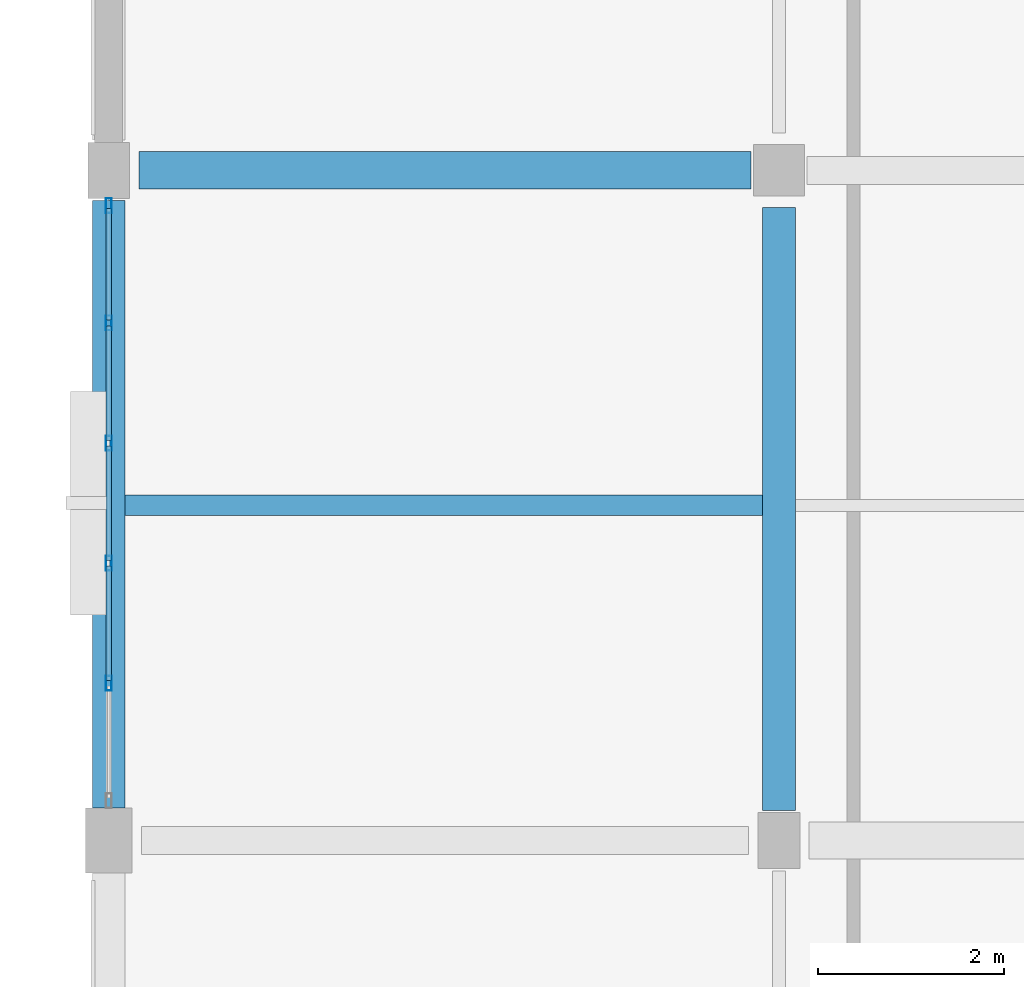
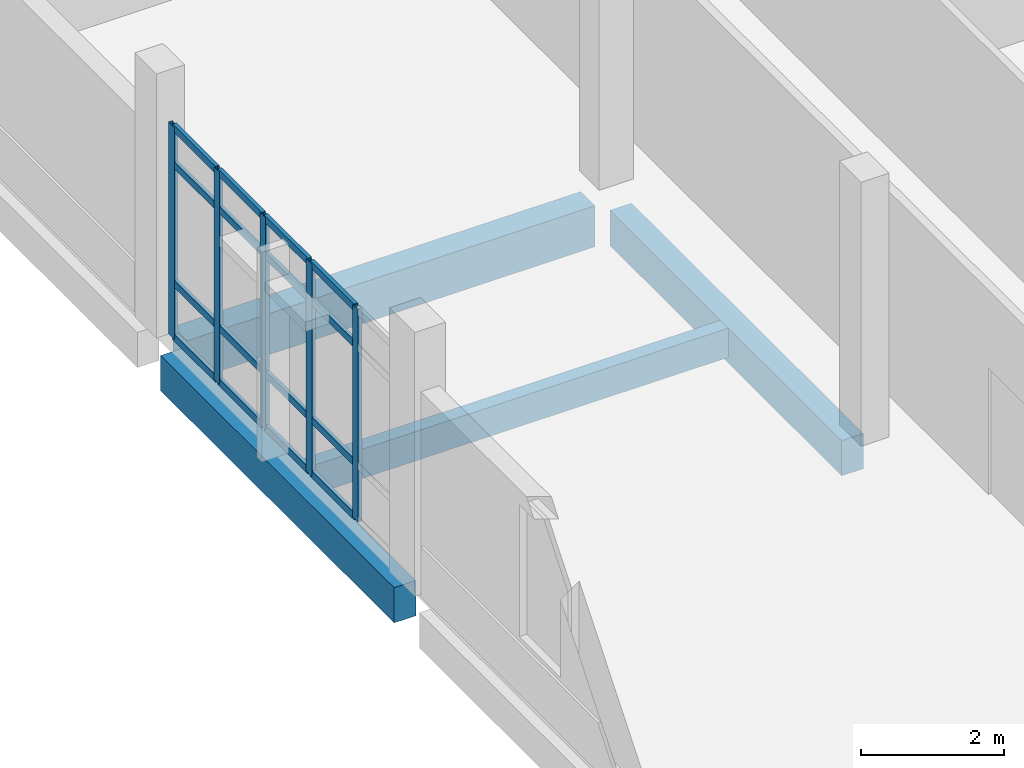
# One storey, part 10 of 87: 21 members, 4 beams, 1 element without a shape of its own.
"""IFC4 building model written with IfcOpenShell, lengths in metres."""

from ifc_helpers import new_model, si_unit, direction, frame, origin, origin_2d, place, context, subcontext, project, spatial, rectangle, hollow_rectangle, extrude, material, material_profile, profile_set, type_object, element, aggregate, save


model = new_model("IFC4")

# Units and contexts
model_context = context("Model", 3, precision=1e-05, world=origin(), true_north=direction((0.0, 1.0)))
body_context = subcontext(model_context, "Body", "Model", "MODEL_VIEW")
ifc_project = project(units=[si_unit("LENGTHUNIT", "METRE"), si_unit("AREAUNIT", "SQUARE_METRE"), si_unit("VOLUMEUNIT", "CUBIC_METRE"), si_unit("PLANEANGLEUNIT", "RADIAN"), si_unit("MASSUNIT", "GRAM", prefix="KILO")], contexts=[model_context])

# Site, building, storey
site_placement = place(None, origin())
site = spatial("IfcSite", under=ifc_project, at=site_placement, CompositionType="ELEMENT")
building_placement = place(site_placement, origin())
building = spatial("IfcBuilding", under=site, at=building_placement, Name="Kalluvel Institute of Natural Sciences", CompositionType="ELEMENT")
storey_placement = place(building_placement, frame((0.0, 0.0, 18.89990234375)))
storey = spatial("IfcBuildingStorey", under=building, at=storey_placement, Name="L04", CompositionType="ELEMENT", Elevation=18.89990234375)

# Beam
ifc_material_1 = material(Name="Concrete M40", Category="concrete")
ifc_material_profile_1 = material_profile(ifc_material_1, rectangle(XDim=0.35009765625, YDim=0.60009765625, at=origin_2d()), Name="RCB 350x600")
ifc_profile_set_1 = profile_set([ifc_material_profile_1], Name="Concrete M40")
beam_type_1 = type_object("IfcBeamType", Name="BM-RC350x600", PredefinedType="BEAM", material=ifc_profile_set_1)
beam_1_placement = place(storey_placement, frame((21.199951171875, 28.72509765625, -0.599853515625), z_axis=(0.0, 1.0, 0.0), x_axis=(-1.0, 0.0, 0.0)))
element("IfcBeam", 1, at=beam_1_placement, inside=storey, type_object=beam_type_1, Name="L04 girder GIR-L04-NS-X212-Y284", PredefinedType="BEAM", context=body_context, shape_type="SweptSolid", body=[
    extrude(rectangle(XDim=0.35009765625, YDim=0.60009765625, at=origin_2d()), origin(), (0.0, 0.0, 1.0), 6.474853515625),
])

# Curtain wall, members
ifc_material_2 = material(Name="Aluminium AW-6063 T6", Category="aluminium")
curtain_wall_type = type_object("IfcCurtainWallType", Name="CW-DRY-45", PredefinedType="USERDEFINED", material=ifc_material_2)
curtain_wall_placement = place(storey_placement, origin())
curtain_wall = element("IfcCurtainWall", 2, at=curtain_wall_placement, inside=storey, type_object=curtain_wall_type, Name="L04 Gothic lancet curtain wall CWA-L04-X140-Y288", ObjectType="UNITISED LANCET FACADE", PredefinedType="USERDEFINED")
ifc_material_profile_2 = material_profile(ifc_material_2, hollow_rectangle(XDim=0.06005859375, YDim=0.159912109375, WallThickness=0.00390625, at=origin_2d()), Name="CWM 60x160")
ifc_profile_set_2 = profile_set([ifc_material_profile_2], Name="Aluminium AW-6063 T6")
member_type_1 = type_object("IfcMemberType", Name="CWM-60x160", PredefinedType="MULLION", material=ifc_profile_set_2)
member_1_placement = place(storey_placement, frame((14.0, 30.090087890625, 0.0), z_axis=(0.0, 0.0, 1.0), x_axis=(-1.0, 0.0, 0.0)))
member_1 = element("IfcMember", 3, at=member_1_placement, type_object=member_type_1, Name="CW-03 mullion 2", PredefinedType="MULLION", context=body_context, shape_type="SweptSolid", body=[
    extrude(hollow_rectangle(XDim=0.06005859375, YDim=0.159912109375, WallThickness=0.00390625, at=origin_2d()), origin(), (0.0, 0.0, 1.0), 3.6201171875),
])
member_2_placement = place(storey_placement, frame((14.0, 31.3798828125, 0.0), z_axis=(0.0, 0.0, 1.0), x_axis=(-1.0, 0.0, 0.0)))
member_2 = element("IfcMember", 4, at=member_2_placement, type_object=member_type_1, Name="CW-03 mullion 3", PredefinedType="MULLION", context=body_context, shape_type="SweptSolid", body=[
    extrude(hollow_rectangle(XDim=0.06005859375, YDim=0.159912109375, WallThickness=0.00390625, at=origin_2d()), origin(), (0.0, 0.0, 1.0), 3.6201171875),
])
member_3_placement = place(storey_placement, frame((14.0, 32.669921875, 0.0), z_axis=(0.0, 0.0, 1.0), x_axis=(-1.0, 0.0, 0.0)))
member_3 = element("IfcMember", 5, at=member_3_placement, type_object=member_type_1, Name="CW-03 mullion 4", PredefinedType="MULLION", context=body_context, shape_type="SweptSolid", body=[
    extrude(hollow_rectangle(XDim=0.06005859375, YDim=0.159912109375, WallThickness=0.00390625, at=origin_2d()), origin(), (0.0, 0.0, 1.0), 3.6201171875),
])
member_4_placement = place(storey_placement, frame((14.0, 33.9599609375, 0.0), z_axis=(0.0, 0.0, 1.0), x_axis=(-1.0, 0.0, 0.0)))
member_4 = element("IfcMember", 6, at=member_4_placement, type_object=member_type_1, Name="CW-03 mullion 5", PredefinedType="MULLION", context=body_context, shape_type="SweptSolid", body=[
    extrude(hollow_rectangle(XDim=0.06005859375, YDim=0.159912109375, WallThickness=0.00390625, at=origin_2d()), origin(), (0.0, 0.0, 1.0), 3.6201171875),
])
member_5_placement = place(storey_placement, frame((14.0, 35.219970703125, 0.0), z_axis=(0.0, 0.0, 1.0), x_axis=(-1.0, 0.0, 0.0)))
member_5 = element("IfcMember", 7, at=member_5_placement, type_object=member_type_1, Name="CW-03 mullion 6", PredefinedType="MULLION", context=body_context, shape_type="SweptSolid", body=[
    extrude(hollow_rectangle(XDim=0.06005859375, YDim=0.159912109375, WallThickness=0.00390625, at=origin_2d()), origin(), (0.0, 0.0, 1.0), 3.6201171875),
])
ifc_material_profile_3 = material_profile(ifc_material_2, hollow_rectangle(XDim=0.06005859375, YDim=0.1201171875, WallThickness=0.00390625, at=origin_2d()), Name="CWT 60x120")
ifc_profile_set_3 = profile_set([ifc_material_profile_3], Name="Aluminium AW-6063 T6")
member_type_2 = type_object("IfcMemberType", Name="CWT-60x120", PredefinedType="USERDEFINED", material=ifc_profile_set_3)
member_6_placement = place(storey_placement, frame((14.0, 30.1201171875, 0.030029296875), z_axis=(0.0, 1.0, 0.0), x_axis=(-1.0, 0.0, 0.0)))
member_6 = element("IfcMember", 8, at=member_6_placement, type_object=member_type_2, Name="CW-03 transom 2.1", ObjectType="TRANSOM", PredefinedType="USERDEFINED", context=body_context, shape_type="SweptSolid", body=[
    extrude(hollow_rectangle(XDim=0.06005859375, YDim=0.1201171875, WallThickness=0.00390625, at=origin_2d()), origin(), (0.0, 0.0, 1.0), 1.22998046875),
])
member_7_placement = place(storey_placement, frame((14.0, 30.1201171875, 0.9501953125), z_axis=(0.0, 1.0, 0.0), x_axis=(-1.0, 0.0, 0.0)))
member_7 = element("IfcMember", 9, at=member_7_placement, type_object=member_type_2, Name="CW-03 transom 2.2", ObjectType="TRANSOM", PredefinedType="USERDEFINED", context=body_context, shape_type="SweptSolid", body=[
    extrude(hollow_rectangle(XDim=0.06005859375, YDim=0.1201171875, WallThickness=0.00390625, at=origin_2d()), origin(), (0.0, 0.0, 1.0), 1.22998046875),
])
member_8_placement = place(storey_placement, frame((14.0, 30.1201171875, 2.97021484375), z_axis=(0.0, 1.0, 0.0), x_axis=(-1.0, 0.0, 0.0)))
member_8 = element("IfcMember", 10, at=member_8_placement, type_object=member_type_2, Name="CW-03 transom 2.3", ObjectType="TRANSOM", PredefinedType="USERDEFINED", context=body_context, shape_type="SweptSolid", body=[
    extrude(hollow_rectangle(XDim=0.06005859375, YDim=0.1201171875, WallThickness=0.00390625, at=origin_2d()), origin(), (0.0, 0.0, 1.0), 1.22998046875),
])
member_9_placement = place(storey_placement, frame((14.0, 30.1201171875, 3.590087890625), z_axis=(0.0, 1.0, 0.0), x_axis=(-1.0, 0.0, 0.0)))
member_9 = element("IfcMember", 11, at=member_9_placement, type_object=member_type_2, Name="CW-03 transom 2.4", ObjectType="TRANSOM", PredefinedType="USERDEFINED", context=body_context, shape_type="SweptSolid", body=[
    extrude(hollow_rectangle(XDim=0.06005859375, YDim=0.1201171875, WallThickness=0.00390625, at=origin_2d()), origin(), (0.0, 0.0, 1.0), 1.22998046875),
])
member_10_placement = place(storey_placement, frame((14.0, 31.409912109375, 0.030029296875), z_axis=(0.0, 1.0, 0.0), x_axis=(-1.0, 0.0, 0.0)))
member_10 = element("IfcMember", 12, at=member_10_placement, type_object=member_type_2, Name="CW-03 transom 3.1", ObjectType="TRANSOM", PredefinedType="USERDEFINED", context=body_context, shape_type="SweptSolid", body=[
    extrude(hollow_rectangle(XDim=0.06005859375, YDim=0.1201171875, WallThickness=0.00390625, at=origin_2d()), origin(), (0.0, 0.0, 1.0), 1.22998046875),
])
member_11_placement = place(storey_placement, frame((14.0, 31.409912109375, 0.9501953125), z_axis=(0.0, 1.0, 0.0), x_axis=(-1.0, 0.0, 0.0)))
member_11 = element("IfcMember", 13, at=member_11_placement, type_object=member_type_2, Name="CW-03 transom 3.2", ObjectType="TRANSOM", PredefinedType="USERDEFINED", context=body_context, shape_type="SweptSolid", body=[
    extrude(hollow_rectangle(XDim=0.06005859375, YDim=0.1201171875, WallThickness=0.00390625, at=origin_2d()), origin(), (0.0, 0.0, 1.0), 1.22998046875),
])
member_12_placement = place(storey_placement, frame((14.0, 31.409912109375, 2.97021484375), z_axis=(0.0, 1.0, 0.0), x_axis=(-1.0, 0.0, 0.0)))
member_12 = element("IfcMember", 14, at=member_12_placement, type_object=member_type_2, Name="CW-03 transom 3.3", ObjectType="TRANSOM", PredefinedType="USERDEFINED", context=body_context, shape_type="SweptSolid", body=[
    extrude(hollow_rectangle(XDim=0.06005859375, YDim=0.1201171875, WallThickness=0.00390625, at=origin_2d()), origin(), (0.0, 0.0, 1.0), 1.22998046875),
])
member_13_placement = place(storey_placement, frame((14.0, 31.409912109375, 3.590087890625), z_axis=(0.0, 1.0, 0.0), x_axis=(-1.0, 0.0, 0.0)))
member_13 = element("IfcMember", 15, at=member_13_placement, type_object=member_type_2, Name="CW-03 transom 3.4", ObjectType="TRANSOM", PredefinedType="USERDEFINED", context=body_context, shape_type="SweptSolid", body=[
    extrude(hollow_rectangle(XDim=0.06005859375, YDim=0.1201171875, WallThickness=0.00390625, at=origin_2d()), origin(), (0.0, 0.0, 1.0), 1.22998046875),
])
member_14_placement = place(storey_placement, frame((14.0, 32.699951171875, 0.030029296875), z_axis=(0.0, 1.0, 0.0), x_axis=(-1.0, 0.0, 0.0)))
member_14 = element("IfcMember", 16, at=member_14_placement, type_object=member_type_2, Name="CW-03 transom 4.1", ObjectType="TRANSOM", PredefinedType="USERDEFINED", context=body_context, shape_type="SweptSolid", body=[
    extrude(hollow_rectangle(XDim=0.06005859375, YDim=0.1201171875, WallThickness=0.00390625, at=origin_2d()), origin(), (0.0, 0.0, 1.0), 1.22998046875),
])
member_15_placement = place(storey_placement, frame((14.0, 32.699951171875, 0.9501953125), z_axis=(0.0, 1.0, 0.0), x_axis=(-1.0, 0.0, 0.0)))
member_15 = element("IfcMember", 17, at=member_15_placement, type_object=member_type_2, Name="CW-03 transom 4.2", ObjectType="TRANSOM", PredefinedType="USERDEFINED", context=body_context, shape_type="SweptSolid", body=[
    extrude(hollow_rectangle(XDim=0.06005859375, YDim=0.1201171875, WallThickness=0.00390625, at=origin_2d()), origin(), (0.0, 0.0, 1.0), 1.22998046875),
])
member_16_placement = place(storey_placement, frame((14.0, 32.699951171875, 2.97021484375), z_axis=(0.0, 1.0, 0.0), x_axis=(-1.0, 0.0, 0.0)))
member_16 = element("IfcMember", 18, at=member_16_placement, type_object=member_type_2, Name="CW-03 transom 4.3", ObjectType="TRANSOM", PredefinedType="USERDEFINED", context=body_context, shape_type="SweptSolid", body=[
    extrude(hollow_rectangle(XDim=0.06005859375, YDim=0.1201171875, WallThickness=0.00390625, at=origin_2d()), origin(), (0.0, 0.0, 1.0), 1.22998046875),
])
member_17_placement = place(storey_placement, frame((14.0, 32.699951171875, 3.590087890625), z_axis=(0.0, 1.0, 0.0), x_axis=(-1.0, 0.0, 0.0)))
member_17 = element("IfcMember", 19, at=member_17_placement, type_object=member_type_2, Name="CW-03 transom 4.4", ObjectType="TRANSOM", PredefinedType="USERDEFINED", context=body_context, shape_type="SweptSolid", body=[
    extrude(hollow_rectangle(XDim=0.06005859375, YDim=0.1201171875, WallThickness=0.00390625, at=origin_2d()), origin(), (0.0, 0.0, 1.0), 1.22998046875),
])
member_18_placement = place(storey_placement, frame((14.0, 33.989990234375, 0.030029296875), z_axis=(0.0, 1.0, 0.0), x_axis=(-1.0, 0.0, 0.0)))
member_18 = element("IfcMember", 20, at=member_18_placement, type_object=member_type_2, Name="CW-03 transom 5.1", ObjectType="TRANSOM", PredefinedType="USERDEFINED", context=body_context, shape_type="SweptSolid", body=[
    extrude(hollow_rectangle(XDim=0.06005859375, YDim=0.1201171875, WallThickness=0.00390625, at=origin_2d()), origin(), (0.0, 0.0, 1.0), 1.199951171875),
])
member_19_placement = place(storey_placement, frame((14.0, 33.989990234375, 0.9501953125), z_axis=(0.0, 1.0, 0.0), x_axis=(-1.0, 0.0, 0.0)))
member_19 = element("IfcMember", 21, at=member_19_placement, type_object=member_type_2, Name="CW-03 transom 5.2", ObjectType="TRANSOM", PredefinedType="USERDEFINED", context=body_context, shape_type="SweptSolid", body=[
    extrude(hollow_rectangle(XDim=0.06005859375, YDim=0.1201171875, WallThickness=0.00390625, at=origin_2d()), origin(), (0.0, 0.0, 1.0), 1.199951171875),
])
member_20_placement = place(storey_placement, frame((14.0, 33.989990234375, 2.97021484375), z_axis=(0.0, 1.0, 0.0), x_axis=(-1.0, 0.0, 0.0)))
member_20 = element("IfcMember", 22, at=member_20_placement, type_object=member_type_2, Name="CW-03 transom 5.3", ObjectType="TRANSOM", PredefinedType="USERDEFINED", context=body_context, shape_type="SweptSolid", body=[
    extrude(hollow_rectangle(XDim=0.06005859375, YDim=0.1201171875, WallThickness=0.00390625, at=origin_2d()), origin(), (0.0, 0.0, 1.0), 1.199951171875),
])
member_21_placement = place(storey_placement, frame((14.0, 33.989990234375, 3.590087890625), z_axis=(0.0, 1.0, 0.0), x_axis=(-1.0, 0.0, 0.0)))
member_21 = element("IfcMember", 23, at=member_21_placement, type_object=member_type_2, Name="CW-03 transom 5.4", ObjectType="TRANSOM", PredefinedType="USERDEFINED", context=body_context, shape_type="SweptSolid", body=[
    extrude(hollow_rectangle(XDim=0.06005859375, YDim=0.1201171875, WallThickness=0.00390625, at=origin_2d()), origin(), (0.0, 0.0, 1.0), 1.199951171875),
])
aggregate(curtain_wall, [member_1, member_2, member_3, member_4, member_5, member_6, member_7, member_8, member_9, member_10, member_11, member_12, member_13, member_14, member_15, member_16, member_17, member_18, member_19, member_20, member_21])

# Beams
ifc_material_profile_4 = material_profile(ifc_material_1, rectangle(XDim=0.35009765625, YDim=0.60009765625, at=origin_2d()), Name="RCB 350x600")
ifc_profile_set_4 = profile_set([ifc_material_profile_4], Name="Concrete M40")
beam_type_2 = type_object("IfcBeamType", Name="SP-RC350x600", PredefinedType="SPANDREL", material=ifc_profile_set_4)
beam_2_placement = place(storey_placement, frame((14.0, 28.75, -0.599853515625), z_axis=(0.0, 1.0, 0.0), x_axis=(-1.0, 0.0, 0.0)))
element("IfcBeam", 24, at=beam_2_placement, inside=storey, type_object=beam_type_2, Name="L04 girder GIR-L04-NS-X140-Y284", PredefinedType="SPANDREL", context=body_context, shape_type="SweptSolid", body=[
    extrude(rectangle(XDim=0.35009765625, YDim=0.60009765625, at=origin_2d()), origin(), (0.0, 0.0, 1.0), 6.52490234375),
])
ifc_material_profile_5 = material_profile(ifc_material_1, rectangle(XDim=0.39990234375, YDim=0.699951171875, at=origin_2d()), Name="RCB 400x700")
ifc_profile_set_5 = profile_set([ifc_material_profile_5], Name="Concrete M40")
beam_type_3 = type_object("IfcBeamType", Name="SP-RC400x700", PredefinedType="SPANDREL", material=ifc_profile_set_5)
beam_3_placement = place(storey_placement, frame((14.324951171875, 35.60009765625, -0.64990234375), z_axis=(1.0, 0.0, 0.0), x_axis=(0.0, 1.0, 0.0)))
element("IfcBeam", 25, at=beam_3_placement, inside=storey, type_object=beam_type_3, Name="L04 girder GIR-L04-EW-X140-Y356", PredefinedType="SPANDREL", context=body_context, shape_type="SweptSolid", body=[
    extrude(rectangle(XDim=0.39990234375, YDim=0.699951171875, at=origin_2d()), origin(), (0.0, 0.0, 1.0), 6.574951171875),
])
ifc_material_profile_6 = material_profile(ifc_material_1, rectangle(XDim=0.219970703125, YDim=0.5, at=origin_2d()), Name="WAF 220x500")
ifc_profile_set_6 = profile_set([ifc_material_profile_6], Name="Concrete M40")
beam_type_4 = type_object("IfcBeamType", Name="WJ-220x500", PredefinedType="JOIST", material=ifc_profile_set_6)
beam_4_placement = place(storey_placement, frame((14.175048828125, 32.0, -0.5498046875), z_axis=(1.0, 0.0, 0.0), x_axis=(0.0, 1.0, 0.0)))
element("IfcBeam", 26, at=beam_4_placement, inside=storey, type_object=beam_type_4, Name="L04 floor rib RIB-L04-0712", PredefinedType="JOIST", context=body_context, shape_type="SweptSolid", body=[
    extrude(rectangle(XDim=0.219970703125, YDim=0.5, at=origin_2d()), origin(), (0.0, 0.0, 1.0), 6.849853515625),
])

save(model, "model.ifc")
